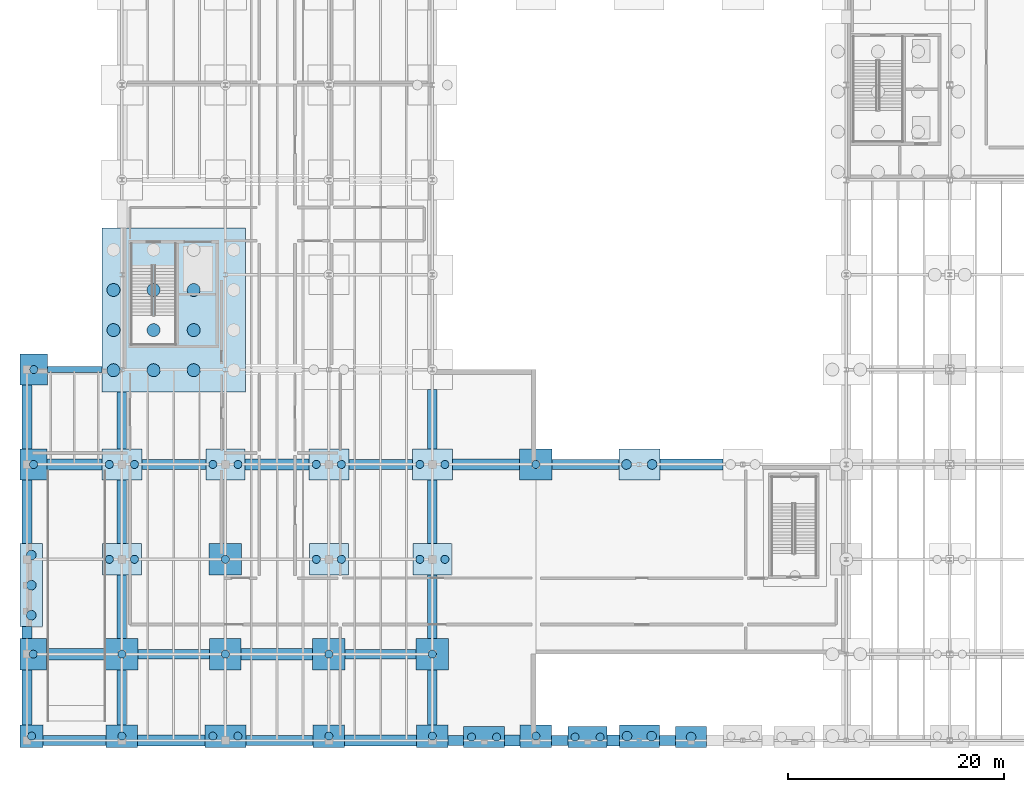
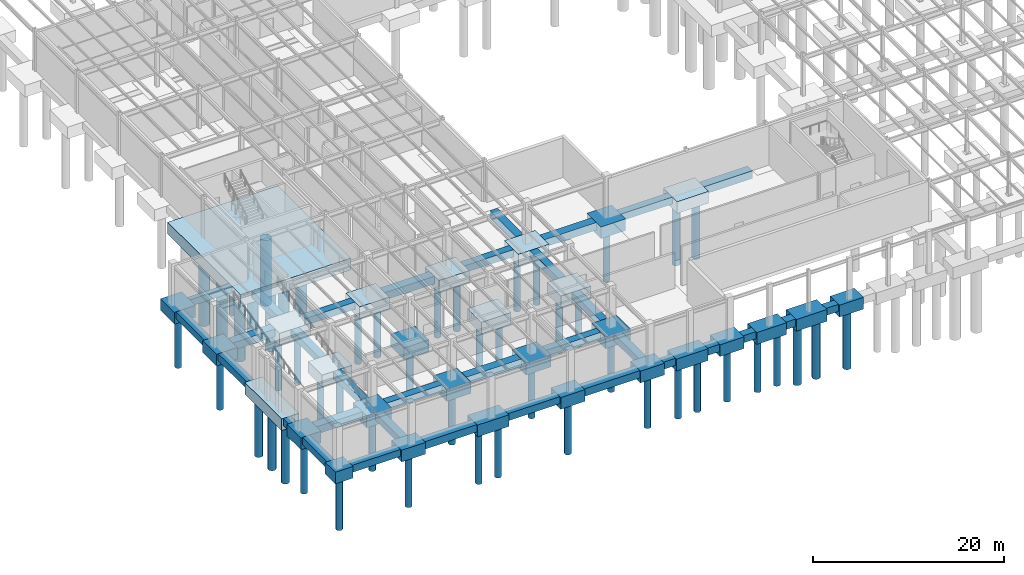
# One storey, part 1 of 48: 62 footings, 51 piles.
"""IFC4 building model written with IfcOpenShell, lengths in metres."""

from ifc_helpers import new_model, si_unit, direction, frame, origin, origin_2d, place, context, subcontext, project, spatial, rectangle, circle, extrude, material, material_profile, profile_set, type_object, element, save


model = new_model("IFC4")

# Units and contexts
model_context = context("Model", 3, precision=1e-05, world=origin(), true_north=direction((0.0, 1.0)))
body_context = subcontext(model_context, "Body", "Model", "MODEL_VIEW")
ifc_project = project(units=[si_unit("LENGTHUNIT", "METRE"), si_unit("AREAUNIT", "SQUARE_METRE"), si_unit("VOLUMEUNIT", "CUBIC_METRE"), si_unit("PLANEANGLEUNIT", "RADIAN"), si_unit("MASSUNIT", "GRAM", prefix="KILO")], contexts=[model_context])

# Site, building, storey
site_placement = place(None, origin())
site = spatial("IfcSite", under=ifc_project, at=site_placement, CompositionType="ELEMENT")
building_placement = place(site_placement, origin())
building = spatial("IfcBuilding", under=site, at=building_placement, Name="Sarnbrook Museum", CompositionType="ELEMENT")
storey_placement = place(building_placement, frame((0.0, 0.0, -5.39990234375)))
storey = spatial("IfcBuildingStorey", under=building, at=storey_placement, Name="B1", CompositionType="ELEMENT", Elevation=-5.39990234375)

# Piles
ifc_material_1 = material(Name="Concrete N50 (AS 3600, f'c = 50 MPa)", Category="concrete")
ifc_material_profile_1 = material_profile(ifc_material_1, circle(Radius=0.375, at=origin_2d()), Name="BORED PILE D750")
ifc_profile_set_1 = profile_set([ifc_material_profile_1], Name="Concrete N50 (AS 3600, f'c = 50 MPa)")
pile_type_1 = type_object("IfcPileType", Name="BoredPile_P1", PredefinedType="BORED", material=ifc_profile_set_1)
for number, where, z_axis, x_axis, name in (
    (1, (5.22509765625, 5.199951171875, -1.400146484375), (0.0, 0.0, -1.0), (1.0, 0.0, 0.0), "Bored Pile P1-0004"),
    (2, (5.375, 12.800048828125, -1.400146484375), (0.0, 0.0, -1.0), (1.0, 0.0, 0.0), "Bored Pile P1-0005"),
    (3, (5.39990234375, 30.39990234375, -1.400146484375), (0.0, 0.0, -1.0), (1.0, 0.0, 0.0), "Bored Pile P1-0006"),
    (4, (5.425048828125, 39.199951171875, -1.400146484375), (0.0, 0.0, -1.0), (1.0, 0.0, 0.0), "Bored Pile P1-0007"),
    (5, (13.60009765625, 5.199951171875, -1.400146484375), (0.0, 0.0, -1.0), (1.0, 0.0, 0.0), "Bored Pile P1-0030"),
    (6, (13.60009765625, 12.800048828125, -1.400146484375), (0.0, 0.0, -1.0), (1.0, 0.0, 0.0), "Bored Pile P1-0031"),
    (7, (12.4375, 21.60009765625, -1.400146484375), (0.0, 0.0, -1.0), (1.0, 0.0, 0.0), "Bored Pile P1-0032"),
    (8, (14.762451171875, 21.60009765625, -1.400146484375), (0.0, 0.0, -1.0), (1.0, 0.0, 0.0), "Bored Pile P1-0033"),
    (9, (12.4375, 30.39990234375, -1.400146484375), (0.0, 0.0, -1.0), (1.0, 0.0, 0.0), "Bored Pile P1-0034"),
    (10, (14.762451171875, 30.39990234375, -1.400146484375), (0.0, 0.0, -1.0), (1.0, 0.0, 0.0), "Bored Pile P1-0035"),
    (11, (22.03759765625, 5.199951171875, -1.400146484375), (0.0, 0.0, -1.0), (1.0, 0.0, 0.0), "Bored Pile P1-0043"),
    (12, (24.362548828125, 5.199951171875, -1.400146484375), (0.0, 0.0, -1.0), (1.0, 0.0, 0.0), "Bored Pile P1-0044"),
    (13, (23.199951171875, 12.800048828125, -1.400146484375), (0.0, 0.0, -1.0), (1.0, 0.0, 0.0), "Bored Pile P1-0045"),
    (14, (23.199951171875, 21.60009765625, -1.400146484375), (0.0, 0.0, -1.0), (1.0, 0.0, 0.0), "Bored Pile P1-0046"),
    (15, (22.03759765625, 30.39990234375, -1.400146484375), (0.0, 0.0, -1.0), (1.0, 0.0, 0.0), "Bored Pile P1-0047"),
    (16, (24.362548828125, 30.39990234375, -1.400146484375), (0.0, 0.0, -1.0), (1.0, 0.0, 0.0), "Bored Pile P1-0048"),
    (17, (32.800048828125, 5.199951171875, -1.400146484375), (0.0, 0.0, -1.0), (1.0, 0.0, 0.0), "Bored Pile P1-0060"),
    (18, (32.800048828125, 12.800048828125, -1.400146484375), (0.0, 0.0, -1.0), (1.0, 0.0, 0.0), "Bored Pile P1-0061"),
    (19, (31.637451171875, 21.60009765625, -1.400146484375), (0.0, 0.0, -1.0), (1.0, 0.0, 0.0), "Bored Pile P1-0062"),
    (20, (33.96240234375, 21.60009765625, -1.400146484375), (0.0, 0.0, -1.0), (1.0, 0.0, 0.0), "Bored Pile P1-0063"),
    (21, (31.637451171875, 30.39990234375, -1.400146484375), (0.0, 0.0, -1.0), (1.0, 0.0, 0.0), "Bored Pile P1-0064"),
    (22, (33.96240234375, 30.39990234375, -1.400146484375), (0.0, 0.0, -1.0), (1.0, 0.0, 0.0), "Bored Pile P1-0065"),
    (23, (42.39990234375, 5.199951171875, -1.400146484375), (0.0, 0.0, -1.0), (1.0, 0.0, 0.0), "Bored Pile P1-0082"),
    (24, (42.39990234375, 12.800048828125, -1.400146484375), (0.0, 0.0, -1.0), (1.0, 0.0, 0.0), "Bored Pile P1-0083"),
    (25, (41.237548828125, 21.60009765625, -1.400146484375), (0.0, 0.0, -1.0), (1.0, 0.0, 0.0), "Bored Pile P1-0084"),
    (26, (43.5625, 21.60009765625, -1.400146484375), (0.0, 0.0, -1.0), (1.0, 0.0, 0.0), "Bored Pile P1-0085"),
    (27, (41.237548828125, 30.39990234375, -1.400146484375), (0.0, 0.0, -1.0), (1.0, 0.0, 0.0), "Bored Pile P1-0086"),
    (28, (43.5625, 30.39990234375, -1.400146484375), (0.0, 0.0, -1.0), (1.0, 0.0, 0.0), "Bored Pile P1-0087"),
    (29, (46.03759765625, 5.110107421875, -1.400146484375), (0.0, 0.0, -1.0), (1.0, 0.0, 0.0), "Bored Pile P1-0088"),
    (30, (48.362548828125, 5.110107421875, -1.400146484375), (0.0, 0.0, -1.0), (1.0, 0.0, 0.0), "Bored Pile P1-0089"),
    (31, (52.0, 5.199951171875, -1.400146484375), (0.0, 0.0, -1.0), (1.0, 0.0, 0.0), "Bored Pile P1-0111"),
    (32, (52.0, 30.39990234375, -1.400146484375), (0.0, 0.0, -1.0), (1.0, 0.0, 0.0), "Bored Pile P1-0112"),
    (33, (55.637451171875, 5.110107421875, -1.400146484375), (0.0, 0.0, -1.0), (1.0, 0.0, 0.0), "Bored Pile P1-0113"),
    (34, (57.96240234375, 5.110107421875, -1.400146484375), (0.0, 0.0, -1.0), (1.0, 0.0, 0.0), "Bored Pile P1-0114"),
):
    element("IfcPile", number, at=place(storey_placement, frame(where, z_axis=z_axis, x_axis=x_axis)), inside=storey, type_object=pile_type_1, Name=name, PredefinedType="BORED", context=body_context, shape_type="SweptSolid", body=[
        extrude(circle(Radius=0.375, at=origin_2d()), origin(), (0.0, 0.0, 1.0), 6.800048828125),
    ])
ifc_material_profile_2 = material_profile(ifc_material_1, circle(Radius=0.449951171875, at=origin_2d()), Name="BORED PILE D900")
ifc_profile_set_2 = profile_set([ifc_material_profile_2], Name="Concrete N50 (AS 3600, f'c = 50 MPa)")
pile_type_2 = type_object("IfcPileType", Name="BoredPile_P2", PredefinedType="BORED", material=ifc_profile_set_2)
for number, where, z_axis, x_axis, name in (
    (35, (5.199951171875, 16.409912109375, -1.400146484375), (0.0, 0.0, -1.0), (1.0, 0.0, 0.0), "Bored Pile P2-0001"),
    (36, (5.199951171875, 19.199951171875, -1.400146484375), (0.0, 0.0, -1.0), (1.0, 0.0, 0.0), "Bored Pile P2-0002"),
    (37, (5.199951171875, 21.989990234375, -1.400146484375), (0.0, 0.0, -1.0), (1.0, 0.0, 0.0), "Bored Pile P2-0003"),
    (38, (60.4599609375, 5.199951171875, -1.400146484375), (0.0, 0.0, -1.0), (1.0, 0.0, 0.0), "Bored Pile P2-0123"),
    (39, (62.739990234375, 5.199951171875, -1.400146484375), (0.0, 0.0, -1.0), (1.0, 0.0, 0.0), "Bored Pile P2-0124"),
    (40, (60.409912109375, 30.39990234375, -1.400146484375), (0.0, 0.0, -1.0), (1.0, 0.0, 0.0), "Bored Pile P2-0125"),
    (41, (62.7900390625, 30.39990234375, -1.400146484375), (0.0, 0.0, -1.0), (1.0, 0.0, 0.0), "Bored Pile P2-0126"),
    (42, (66.39990234375, 5.110107421875, -1.400146484375), (0.0, 0.0, -1.0), (1.0, 0.0, 0.0), "Bored Pile P2-0127"),
):
    element("IfcPile", number, at=place(storey_placement, frame(where, z_axis=z_axis, x_axis=x_axis)), inside=storey, type_object=pile_type_2, Name=name, PredefinedType="BORED", context=body_context, shape_type="SweptSolid", body=[
        extrude(circle(Radius=0.449951171875, at=origin_2d()), origin(), (0.0, 0.0, 1.0), 7.60009765625),
    ])
ifc_material_profile_3 = material_profile(ifc_material_1, circle(Radius=0.60009765625, at=origin_2d()), Name="BORED PILE D1200")
ifc_profile_set_3 = profile_set([ifc_material_profile_3], Name="Concrete N50 (AS 3600, f'c = 50 MPa)")
pile_type_3 = type_object("IfcPileType", Name="BoredPile_P3", PredefinedType="BORED", material=ifc_profile_set_3)
for number, where, z_axis, x_axis, name in (
    (43, (12.820068359375, 39.14501953125, -1.400146484375), (0.0, 0.0, -1.0), (1.0, 0.0, 0.0), "Bored Pile P3-0008"),
    (44, (12.820068359375, 42.864990234375, -1.400146484375), (0.0, 0.0, -1.0), (1.0, 0.0, 0.0), "Bored Pile P3-0009"),
    (45, (12.820068359375, 46.5849609375, -1.400146484375), (0.0, 0.0, -1.0), (1.0, 0.0, 0.0), "Bored Pile P3-0010"),
    (46, (16.5400390625, 39.14501953125, -1.400146484375), (0.0, 0.0, -1.0), (1.0, 0.0, 0.0), "Bored Pile P3-0012"),
    (47, (16.5400390625, 42.864990234375, -1.400146484375), (0.0, 0.0, -1.0), (1.0, 0.0, 0.0), "Bored Pile P3-0013"),
    (48, (16.5400390625, 46.5849609375, -1.400146484375), (0.0, 0.0, -1.0), (1.0, 0.0, 0.0), "Bored Pile P3-0014"),
    (49, (20.260009765625, 39.14501953125, -1.400146484375), (0.0, 0.0, -1.0), (1.0, 0.0, 0.0), "Bored Pile P3-0016"),
    (50, (20.260009765625, 42.864990234375, -1.400146484375), (0.0, 0.0, -1.0), (1.0, 0.0, 0.0), "Bored Pile P3-0017"),
    (51, (20.260009765625, 46.5849609375, -1.400146484375), (0.0, 0.0, -1.0), (1.0, 0.0, 0.0), "Bored Pile P3-0018"),
):
    element("IfcPile", number, at=place(storey_placement, frame(where, z_axis=z_axis, x_axis=x_axis)), inside=storey, type_object=pile_type_3, Name=name, PredefinedType="BORED", context=body_context, shape_type="SweptSolid", body=[
        extrude(circle(Radius=0.60009765625, at=origin_2d()), origin(), (0.0, 0.0, 1.0), 8.39990234375),
    ])

# Footings
ifc_material_2 = material(Name="Concrete N40 (AS 3600, f'c = 40 MPa)", Category="concrete")
footing_type_1 = type_object("IfcFootingType", Name="GroundBeam_GB1", PredefinedType="FOOTING_BEAM", material=ifc_material_2)
footing_1_placement = place(storey_placement, frame((9.22509765625, 39.199951171875, -0.85009765625), z_axis=(0.0, 0.0, 1.0), x_axis=(1.0, 0.0, 0.0)))
element("IfcFooting", 52, at=footing_1_placement, inside=storey, type_object=footing_type_1, Name="Ground Tie Beam GB-001", PredefinedType="FOOTING_BEAM", context=body_context, shape_type="SweptSolid", body=[
    extrude(rectangle(XDim=5.050048828125, YDim=0.550048828125, at=origin_2d()), origin(), (0.0, 0.0, 1.0), 0.85009765625),
])
footing_type_2 = type_object("IfcFootingType", Name="PileCap_PC01", PredefinedType="PILE_CAP", material=ifc_material_2)
footing_2_placement = place(storey_placement, frame((5.199951171875, 19.199951171875, -1.5), z_axis=(0.0, 0.0, 1.0), x_axis=(1.0, 0.0, 0.0)))
element("IfcFooting", 53, at=footing_2_placement, inside=storey, type_object=footing_type_2, Name="Pile Cap PC-001", PredefinedType="PILE_CAP", context=body_context, shape_type="SweptSolid", body=[
    extrude(rectangle(XDim=2.10009765625, YDim=7.699951171875, at=origin_2d()), origin(), (0.0, 0.0, 1.0), 1.5),
])
footing_type_3 = type_object("IfcFootingType", Name="PileCap_PC02", PredefinedType="PILE_CAP", material=ifc_material_2)
footing_3_placement = place(storey_placement, frame((5.22509765625, 5.199951171875, -1.5), z_axis=(0.0, 0.0, 1.0), x_axis=(1.0, 0.0, 0.0)))
element("IfcFooting", 54, at=footing_3_placement, inside=storey, type_object=footing_type_3, Name="Pile Cap PC-002", PredefinedType="PILE_CAP", context=body_context, shape_type="SweptSolid", body=[
    extrude(rectangle(XDim=2.14990234375, YDim=2.10009765625, at=origin_2d()), origin(), (0.0, 0.0, 1.0), 1.5),
])
footing_type_4 = type_object("IfcFootingType", Name="PileCap_PC03", PredefinedType="PILE_CAP", material=ifc_material_2)
footing_4_placement = place(storey_placement, frame((5.375, 12.800048828125, -1.5), z_axis=(0.0, 0.0, 1.0), x_axis=(1.0, 0.0, 0.0)))
element("IfcFooting", 55, at=footing_4_placement, inside=storey, type_object=footing_type_4, Name="Pile Cap PC-003", PredefinedType="PILE_CAP", context=body_context, shape_type="SweptSolid", body=[
    extrude(rectangle(XDim=2.449951171875, YDim=2.89990234375, at=origin_2d()), origin(), (0.0, 0.0, 1.0), 1.5),
])
footing_type_5 = type_object("IfcFootingType", Name="PileCap_PC04", PredefinedType="PILE_CAP", material=ifc_material_2)
footing_5_placement = place(storey_placement, frame((5.39990234375, 30.39990234375, -1.5), z_axis=(0.0, 0.0, 1.0), x_axis=(1.0, 0.0, 0.0)))
element("IfcFooting", 56, at=footing_5_placement, inside=storey, type_object=footing_type_5, Name="Pile Cap PC-004", PredefinedType="PILE_CAP", context=body_context, shape_type="SweptSolid", body=[
    extrude(rectangle(XDim=2.5, YDim=2.89990234375, at=origin_2d()), origin(), (0.0, 0.0, 1.0), 1.5),
])
footing_type_6 = type_object("IfcFootingType", Name="PileCap_PC05", PredefinedType="PILE_CAP", material=ifc_material_2)
footing_6_placement = place(storey_placement, frame((5.425048828125, 39.199951171875, -1.5), z_axis=(0.0, 0.0, 1.0), x_axis=(1.0, 0.0, 0.0)))
element("IfcFooting", 57, at=footing_6_placement, inside=storey, type_object=footing_type_6, Name="Pile Cap PC-005", PredefinedType="PILE_CAP", context=body_context, shape_type="SweptSolid", body=[
    extrude(rectangle(XDim=2.550048828125, YDim=2.89990234375, at=origin_2d()), origin(), (0.0, 0.0, 1.0), 1.5),
])
footing_type_7 = type_object("IfcFootingType", Name="PileCap_PC06", PredefinedType="PILE_CAP", material=ifc_material_2)
footing_7_placement = place(storey_placement, frame((18.39990234375, 44.72509765625, -1.5), z_axis=(0.0, 0.0, 1.0), x_axis=(1.0, 0.0, 0.0)))
element("IfcFooting", 58, at=footing_7_placement, inside=storey, type_object=footing_type_7, Name="Pile Cap PC-006", PredefinedType="PILE_CAP", context=body_context, shape_type="SweptSolid", body=[
    extrude(rectangle(XDim=13.300048828125, YDim=15.25, at=origin_2d()), origin(), (0.0, 0.0, 1.0), 1.5),
])
footing_type_8 = type_object("IfcFootingType", Name="PileCap_PC11", PredefinedType="PILE_CAP", material=ifc_material_2)
for number, where, z_axis, x_axis, name in (
    (59, (13.60009765625, 5.199951171875, -1.5), (0.0, 0.0, 1.0), (1.0, 0.0, 0.0), "Pile Cap PC-011"),
    (60, (32.800048828125, 5.199951171875, -1.5), (0.0, 0.0, 1.0), (1.0, 0.0, 0.0), "Pile Cap PC-031"),
    (61, (42.39990234375, 5.199951171875, -1.5), (0.0, 0.0, 1.0), (1.0, 0.0, 0.0), "Pile Cap PC-046"),
    (62, (52.0, 5.199951171875, -1.5), (0.0, 0.0, 1.0), (1.0, 0.0, 0.0), "Pile Cap PC-056"),
):
    element("IfcFooting", number, at=place(storey_placement, frame(where, z_axis=z_axis, x_axis=x_axis)), inside=storey, type_object=footing_type_8, Name=name, PredefinedType="PILE_CAP", context=body_context, shape_type="SweptSolid", body=[
        extrude(rectangle(XDim=2.89990234375, YDim=2.10009765625, at=origin_2d()), origin(), (0.0, 0.0, 1.0), 1.5),
    ])
footing_type_9 = type_object("IfcFootingType", Name="PileCap_PC12", PredefinedType="PILE_CAP", material=ifc_material_2)
for number, where, z_axis, x_axis, name in (
    (63, (13.60009765625, 12.800048828125, -1.5), (0.0, 0.0, 1.0), (1.0, 0.0, 0.0), "Pile Cap PC-012"),
    (64, (23.199951171875, 21.60009765625, -1.5), (0.0, 0.0, 1.0), (1.0, 0.0, 0.0), "Pile Cap PC-022"),
    (65, (32.800048828125, 12.800048828125, -1.5), (0.0, 0.0, 1.0), (1.0, 0.0, 0.0), "Pile Cap PC-032"),
    (66, (42.39990234375, 12.800048828125, -1.5), (0.0, 0.0, 1.0), (1.0, 0.0, 0.0), "Pile Cap PC-047"),
    (67, (52.0, 30.39990234375, -1.5), (0.0, 0.0, 1.0), (1.0, 0.0, 0.0), "Pile Cap PC-057"),
):
    element("IfcFooting", number, at=place(storey_placement, frame(where, z_axis=z_axis, x_axis=x_axis)), inside=storey, type_object=footing_type_9, Name=name, PredefinedType="PILE_CAP", context=body_context, shape_type="SweptSolid", body=[
        extrude(rectangle(XDim=3.0, YDim=2.89990234375, at=origin_2d()), origin(), (0.0, 0.0, 1.0), 1.5),
    ])
footing_type_10 = type_object("IfcFootingType", Name="PileCap_PC13", PredefinedType="PILE_CAP", material=ifc_material_2)
for number, where, z_axis, x_axis, name in (
    (68, (13.60009765625, 21.60009765625, -1.5), (0.0, 0.0, 1.0), (1.0, 0.0, 0.0), "Pile Cap PC-013"),
    (69, (23.199951171875, 30.39990234375, -1.5), (0.0, 0.0, 1.0), (1.0, 0.0, 0.0), "Pile Cap PC-023"),
    (70, (32.800048828125, 21.60009765625, -1.5), (0.0, 0.0, 1.0), (1.0, 0.0, 0.0), "Pile Cap PC-033"),
    (71, (42.39990234375, 21.60009765625, -1.5), (0.0, 0.0, 1.0), (1.0, 0.0, 0.0), "Pile Cap PC-048"),
):
    element("IfcFooting", number, at=place(storey_placement, frame(where, z_axis=z_axis, x_axis=x_axis)), inside=storey, type_object=footing_type_10, Name=name, PredefinedType="PILE_CAP", context=body_context, shape_type="SweptSolid", body=[
        extrude(rectangle(XDim=3.60009765625, YDim=2.89990234375, at=origin_2d()), origin(), (0.0, 0.0, 1.0), 1.5),
    ])
footing_type_11 = type_object("IfcFootingType", Name="PileCap_PC14", PredefinedType="PILE_CAP", material=ifc_material_2)
for number, where, z_axis, x_axis, name in (
    (72, (13.60009765625, 30.39990234375, -1.5), (0.0, 0.0, 1.0), (1.0, 0.0, 0.0), "Pile Cap PC-014"),
    (73, (32.800048828125, 30.39990234375, -1.5), (0.0, 0.0, 1.0), (1.0, 0.0, 0.0), "Pile Cap PC-034"),
    (74, (42.39990234375, 30.39990234375, -1.5), (0.0, 0.0, 1.0), (1.0, 0.0, 0.0), "Pile Cap PC-049"),
):
    element("IfcFooting", number, at=place(storey_placement, frame(where, z_axis=z_axis, x_axis=x_axis)), inside=storey, type_object=footing_type_11, Name=name, PredefinedType="PILE_CAP", context=body_context, shape_type="SweptSolid", body=[
        extrude(rectangle(XDim=3.699951171875, YDim=2.89990234375, at=origin_2d()), origin(), (0.0, 0.0, 1.0), 1.5),
    ])
footing_type_12 = type_object("IfcFootingType", Name="PileCap_PC15", PredefinedType="PILE_CAP", material=ifc_material_2)
footing_8_placement = place(storey_placement, frame((61.60009765625, 30.39990234375, -1.5), z_axis=(0.0, 0.0, 1.0), x_axis=(1.0, 0.0, 0.0)))
element("IfcFooting", 75, at=footing_8_placement, inside=storey, type_object=footing_type_12, Name="Pile Cap PC-065", PredefinedType="PILE_CAP", context=body_context, shape_type="SweptSolid", body=[
    extrude(rectangle(XDim=3.800048828125, YDim=2.89990234375, at=origin_2d()), origin(), (0.0, 0.0, 1.0), 1.5),
])
footing_type_13 = type_object("IfcFootingType", Name="PileCap_PC17", PredefinedType="PILE_CAP", material=ifc_material_2)
footing_9_placement = place(storey_placement, frame((23.199951171875, 5.199951171875, -1.5), z_axis=(0.0, 0.0, 1.0), x_axis=(1.0, 0.0, 0.0)))
element("IfcFooting", 76, at=footing_9_placement, inside=storey, type_object=footing_type_13, Name="Pile Cap PC-020", PredefinedType="PILE_CAP", context=body_context, shape_type="SweptSolid", body=[
    extrude(rectangle(XDim=3.800048828125, YDim=2.10009765625, at=origin_2d()), origin(), (0.0, 0.0, 1.0), 1.5),
])
footing_type_14 = type_object("IfcFootingType", Name="PileCap_PC18", PredefinedType="PILE_CAP", material=ifc_material_2)
footing_10_placement = place(storey_placement, frame((23.199951171875, 12.800048828125, -1.5), z_axis=(0.0, 0.0, 1.0), x_axis=(1.0, 0.0, 0.0)))
element("IfcFooting", 77, at=footing_10_placement, inside=storey, type_object=footing_type_14, Name="Pile Cap PC-021", PredefinedType="PILE_CAP", context=body_context, shape_type="SweptSolid", body=[
    extrude(rectangle(XDim=2.89990234375, YDim=2.89990234375, at=origin_2d()), origin(), (0.0, 0.0, 1.0), 1.5),
])
footing_type_15 = type_object("IfcFootingType", Name="PileCap_PC20", PredefinedType="PILE_CAP", material=ifc_material_2)
footing_11_placement = place(storey_placement, frame((47.199951171875, 5.110107421875, -1.5), z_axis=(0.0, 0.0, 1.0), x_axis=(1.0, 0.0, 0.0)))
element("IfcFooting", 78, at=footing_11_placement, inside=storey, type_object=footing_type_15, Name="Pile Cap PC-050", PredefinedType="PILE_CAP", context=body_context, shape_type="SweptSolid", body=[
    extrude(rectangle(XDim=3.800048828125, YDim=1.919921875, at=origin_2d()), origin(), (0.0, 0.0, 1.0), 1.5),
])
footing_type_16 = type_object("IfcFootingType", Name="PileCap_PC22", PredefinedType="PILE_CAP", material=ifc_material_2)
footing_12_placement = place(storey_placement, frame((56.800048828125, 5.110107421875, -1.5), z_axis=(0.0, 0.0, 1.0), x_axis=(1.0, 0.0, 0.0)))
element("IfcFooting", 79, at=footing_12_placement, inside=storey, type_object=footing_type_16, Name="Pile Cap PC-058", PredefinedType="PILE_CAP", context=body_context, shape_type="SweptSolid", body=[
    extrude(rectangle(XDim=3.60009765625, YDim=1.919921875, at=origin_2d()), origin(), (0.0, 0.0, 1.0), 1.5),
])
footing_type_17 = type_object("IfcFootingType", Name="PileCap_PC25", PredefinedType="PILE_CAP", material=ifc_material_2)
footing_13_placement = place(storey_placement, frame((61.60009765625, 5.199951171875, -1.5), z_axis=(0.0, 0.0, 1.0), x_axis=(1.0, 0.0, 0.0)))
element("IfcFooting", 80, at=footing_13_placement, inside=storey, type_object=footing_type_17, Name="Pile Cap PC-064", PredefinedType="PILE_CAP", context=body_context, shape_type="SweptSolid", body=[
    extrude(rectangle(XDim=3.699951171875, YDim=2.10009765625, at=origin_2d()), origin(), (0.0, 0.0, 1.0), 1.5),
])
footing_type_18 = type_object("IfcFootingType", Name="PileCap_PC26", PredefinedType="PILE_CAP", material=ifc_material_2)
footing_14_placement = place(storey_placement, frame((66.39990234375, 5.110107421875, -1.5), z_axis=(0.0, 0.0, 1.0), x_axis=(1.0, 0.0, 0.0)))
element("IfcFooting", 81, at=footing_14_placement, inside=storey, type_object=footing_type_18, Name="Pile Cap PC-066", PredefinedType="PILE_CAP", context=body_context, shape_type="SweptSolid", body=[
    extrude(rectangle(XDim=2.89990234375, YDim=1.919921875, at=origin_2d()), origin(), (0.0, 0.0, 1.0), 1.5),
])
footing_type_19 = type_object("IfcFootingType", Name="StripFooting_SF1", PredefinedType="STRIP_FOOTING", material=ifc_material_2)
footing_15_placement = place(storey_placement, frame((9.22509765625, 4.800048828125, -0.900146484375), z_axis=(0.0, 0.0, 1.0), x_axis=(1.0, 0.0, 0.0)))
element("IfcFooting", 82, at=footing_15_placement, inside=storey, type_object=footing_type_19, Name="Strip Footing SF-001", PredefinedType="STRIP_FOOTING", context=body_context, shape_type="SweptSolid", body=[
    extrude(rectangle(XDim=5.85009765625, YDim=0.89990234375, at=origin_2d()), origin(), (0.0, 0.0, 1.0), 0.89990234375),
])
footing_16_placement = place(storey_placement, frame((28.22509765625, 4.800048828125, -0.900146484375), z_axis=(0.0, 0.0, 1.0), x_axis=(1.0, 0.0, 0.0)))
element("IfcFooting", 83, at=footing_16_placement, inside=storey, type_object=footing_type_19, Name="Strip Footing SF-003", PredefinedType="STRIP_FOOTING", context=body_context, shape_type="SweptSolid", body=[
    extrude(rectangle(XDim=6.25, YDim=0.89990234375, at=origin_2d()), origin(), (0.0, 0.0, 1.0), 0.89990234375),
])
footing_17_placement = place(storey_placement, frame((44.574951171875, 4.800048828125, -0.900146484375), z_axis=(0.0, 0.0, 1.0), x_axis=(1.0, 0.0, 0.0)))
element("IfcFooting", 84, at=footing_17_placement, inside=storey, type_object=footing_type_19, Name="Strip Footing SF-005", PredefinedType="STRIP_FOOTING", context=body_context, shape_type="SweptSolid", body=[
    extrude(rectangle(XDim=1.449951171875, YDim=0.89990234375, at=origin_2d()), origin(), (0.0, 0.0, 1.0), 0.89990234375),
])
footing_18_placement = place(storey_placement, frame((54.22509765625, 4.800048828125, -0.900146484375), z_axis=(0.0, 0.0, 1.0), x_axis=(1.0, 0.0, 0.0)))
element("IfcFooting", 85, at=footing_18_placement, inside=storey, type_object=footing_type_19, Name="Strip Footing SF-007", PredefinedType="STRIP_FOOTING", context=body_context, shape_type="SweptSolid", body=[
    extrude(rectangle(XDim=1.550048828125, YDim=0.89990234375, at=origin_2d()), origin(), (0.0, 0.0, 1.0), 0.89990234375),
])
footing_19_placement = place(storey_placement, frame((64.199951171875, 4.800048828125, -0.900146484375), z_axis=(0.0, 0.0, 1.0), x_axis=(1.0, 0.0, 0.0)))
element("IfcFooting", 86, at=footing_19_placement, inside=storey, type_object=footing_type_19, Name="Strip Footing SF-009", PredefinedType="STRIP_FOOTING", context=body_context, shape_type="SweptSolid", body=[
    extrude(rectangle(XDim=1.5, YDim=0.89990234375, at=origin_2d()), origin(), (0.0, 0.0, 1.0), 0.89990234375),
])
footing_20_placement = place(storey_placement, frame((18.425048828125, 12.800048828125, -0.900146484375), z_axis=(0.0, 0.0, 1.0), x_axis=(1.0, 0.0, 0.0)))
element("IfcFooting", 87, at=footing_20_placement, inside=storey, type_object=footing_type_19, Name="Strip Footing SF-017", PredefinedType="STRIP_FOOTING", context=body_context, shape_type="SweptSolid", body=[
    extrude(rectangle(XDim=6.64990234375, YDim=0.89990234375, at=origin_2d()), origin(), (0.0, 0.0, 1.0), 0.89990234375),
])
footing_21_placement = place(storey_placement, frame((37.60009765625, 12.800048828125, -0.900146484375), z_axis=(0.0, 0.0, 1.0), x_axis=(1.0, 0.0, 0.0)))
element("IfcFooting", 88, at=footing_21_placement, inside=storey, type_object=footing_type_19, Name="Strip Footing SF-019", PredefinedType="STRIP_FOOTING", context=body_context, shape_type="SweptSolid", body=[
    extrude(rectangle(XDim=6.60009765625, YDim=0.89990234375, at=origin_2d()), origin(), (0.0, 0.0, 1.0), 0.89990234375),
])
footing_22_placement = place(storey_placement, frame((18.425048828125, 30.39990234375, -0.900146484375), z_axis=(0.0, 0.0, 1.0), x_axis=(1.0, 0.0, 0.0)))
element("IfcFooting", 89, at=footing_22_placement, inside=storey, type_object=footing_type_19, Name="Strip Footing SF-025", PredefinedType="STRIP_FOOTING", context=body_context, shape_type="SweptSolid", body=[
    extrude(rectangle(XDim=5.949951171875, YDim=0.89990234375, at=origin_2d()), origin(), (0.0, 0.0, 1.0), 0.89990234375),
])
footing_23_placement = place(storey_placement, frame((37.60009765625, 30.39990234375, -0.900146484375), z_axis=(0.0, 0.0, 1.0), x_axis=(1.0, 0.0, 0.0)))
element("IfcFooting", 90, at=footing_23_placement, inside=storey, type_object=footing_type_19, Name="Strip Footing SF-027", PredefinedType="STRIP_FOOTING", context=body_context, shape_type="SweptSolid", body=[
    extrude(rectangle(XDim=5.89990234375, YDim=0.89990234375, at=origin_2d()), origin(), (0.0, 0.0, 1.0), 0.89990234375),
])
footing_24_placement = place(storey_placement, frame((56.60009765625, 30.39990234375, -0.900146484375), z_axis=(0.0, 0.0, 1.0), x_axis=(1.0, 0.0, 0.0)))
element("IfcFooting", 91, at=footing_24_placement, inside=storey, type_object=footing_type_19, Name="Strip Footing SF-029", PredefinedType="STRIP_FOOTING", context=body_context, shape_type="SweptSolid", body=[
    extrude(rectangle(XDim=6.199951171875, YDim=0.89990234375, at=origin_2d()), origin(), (0.0, 0.0, 1.0), 0.89990234375),
])
footing_25_placement = place(storey_placement, frame((4.800048828125, 8.800048828125, -0.900146484375), z_axis=(0.0, 0.0, 1.0), x_axis=(1.0, 0.0, 0.0)))
element("IfcFooting", 92, at=footing_25_placement, inside=storey, type_object=footing_type_19, Name="Strip Footing SF-040", PredefinedType="STRIP_FOOTING", context=body_context, shape_type="SweptSolid", body=[
    extrude(rectangle(XDim=0.89990234375, YDim=5.10009765625, at=origin_2d()), origin(), (0.0, 0.0, 1.0), 0.89990234375),
])
footing_26_placement = place(storey_placement, frame((4.800048828125, 14.800048828125, -0.900146484375), z_axis=(0.0, 0.0, 1.0), x_axis=(1.0, 0.0, 0.0)))
element("IfcFooting", 93, at=footing_26_placement, inside=storey, type_object=footing_type_19, Name="Strip Footing SF-041", PredefinedType="STRIP_FOOTING", context=body_context, shape_type="SweptSolid", body=[
    extrude(rectangle(XDim=0.89990234375, YDim=1.10009765625, at=origin_2d()), origin(), (0.0, 0.0, 1.0), 0.89990234375),
])
for number, where, z_axis, x_axis, name in (
    (94, (4.800048828125, 26.0, -0.900146484375), (0.0, 0.0, 1.0), (1.0, 0.0, 0.0), "Strip Footing SF-042"),
    (95, (4.800048828125, 34.800048828125, -0.900146484375), (0.0, 0.0, 1.0), (1.0, 0.0, 0.0), "Strip Footing SF-043"),
):
    element("IfcFooting", number, at=place(storey_placement, frame(where, z_axis=z_axis, x_axis=x_axis)), inside=storey, type_object=footing_type_19, Name=name, PredefinedType="STRIP_FOOTING", context=body_context, shape_type="SweptSolid", body=[
        extrude(rectangle(XDim=0.89990234375, YDim=5.89990234375, at=origin_2d()), origin(), (0.0, 0.0, 1.0), 0.89990234375),
    ])
footing_27_placement = place(storey_placement, frame((13.60009765625, 8.800048828125, -0.900146484375), z_axis=(0.0, 0.0, 1.0), x_axis=(1.0, 0.0, 0.0)))
element("IfcFooting", 96, at=footing_27_placement, inside=storey, type_object=footing_type_19, Name="Strip Footing SF-044", PredefinedType="STRIP_FOOTING", context=body_context, shape_type="SweptSolid", body=[
    extrude(rectangle(XDim=0.89990234375, YDim=5.10009765625, at=origin_2d()), origin(), (0.0, 0.0, 1.0), 0.89990234375),
])
for number, where, z_axis, x_axis, name in (
    (97, (13.60009765625, 17.199951171875, -0.900146484375), (0.0, 0.0, 1.0), (1.0, 0.0, 0.0), "Strip Footing SF-045"),
    (98, (13.60009765625, 26.0, -0.900146484375), (0.0, 0.0, 1.0), (1.0, 0.0, 0.0), "Strip Footing SF-046"),
):
    element("IfcFooting", number, at=place(storey_placement, frame(where, z_axis=z_axis, x_axis=x_axis)), inside=storey, type_object=footing_type_19, Name=name, PredefinedType="STRIP_FOOTING", context=body_context, shape_type="SweptSolid", body=[
        extrude(rectangle(XDim=0.89990234375, YDim=5.89990234375, at=origin_2d()), origin(), (0.0, 0.0, 1.0), 0.89990234375),
    ])
footing_28_placement = place(storey_placement, frame((13.60009765625, 34.47509765625, -0.900146484375), z_axis=(0.0, 0.0, 1.0), x_axis=(1.0, 0.0, 0.0)))
element("IfcFooting", 99, at=footing_28_placement, inside=storey, type_object=footing_type_19, Name="Strip Footing SF-047", PredefinedType="STRIP_FOOTING", context=body_context, shape_type="SweptSolid", body=[
    extrude(rectangle(XDim=0.89990234375, YDim=5.25, at=origin_2d()), origin(), (0.0, 0.0, 1.0), 0.89990234375),
])
footing_29_placement = place(storey_placement, frame((42.39990234375, 8.800048828125, -0.900146484375), z_axis=(0.0, 0.0, 1.0), x_axis=(1.0, 0.0, 0.0)))
element("IfcFooting", 100, at=footing_29_placement, inside=storey, type_object=footing_type_19, Name="Strip Footing SF-053", PredefinedType="STRIP_FOOTING", context=body_context, shape_type="SweptSolid", body=[
    extrude(rectangle(XDim=0.89990234375, YDim=5.10009765625, at=origin_2d()), origin(), (0.0, 0.0, 1.0), 0.89990234375),
])
for number, where, z_axis, x_axis, name in (
    (101, (42.39990234375, 17.199951171875, -0.900146484375), (0.0, 0.0, 1.0), (1.0, 0.0, 0.0), "Strip Footing SF-054"),
    (102, (42.39990234375, 26.0, -0.900146484375), (0.0, 0.0, 1.0), (1.0, 0.0, 0.0), "Strip Footing SF-055"),
):
    element("IfcFooting", number, at=place(storey_placement, frame(where, z_axis=z_axis, x_axis=x_axis)), inside=storey, type_object=footing_type_19, Name=name, PredefinedType="STRIP_FOOTING", context=body_context, shape_type="SweptSolid", body=[
        extrude(rectangle(XDim=0.89990234375, YDim=5.89990234375, at=origin_2d()), origin(), (0.0, 0.0, 1.0), 0.89990234375),
    ])
footing_30_placement = place(storey_placement, frame((42.39990234375, 34.60009765625, -0.900146484375), z_axis=(0.0, 0.0, 1.0), x_axis=(1.0, 0.0, 0.0)))
element("IfcFooting", 103, at=footing_30_placement, inside=storey, type_object=footing_type_19, Name="Strip Footing SF-056", PredefinedType="STRIP_FOOTING", context=body_context, shape_type="SweptSolid", body=[
    extrude(rectangle(XDim=0.89990234375, YDim=5.5, at=origin_2d()), origin(), (0.0, 0.0, 1.0), 0.89990234375),
])
footing_type_20 = type_object("IfcFootingType", Name="StripFooting_SF2", PredefinedType="STRIP_FOOTING", material=ifc_material_2)
footing_31_placement = place(storey_placement, frame((18.175048828125, 4.800048828125, -0.9501953125), z_axis=(0.0, 0.0, 1.0), x_axis=(1.0, 0.0, 0.0)))
element("IfcFooting", 104, at=footing_31_placement, inside=storey, type_object=footing_type_20, Name="Strip Footing SF-002", PredefinedType="STRIP_FOOTING", context=body_context, shape_type="SweptSolid", body=[
    extrude(rectangle(XDim=6.25, YDim=1.050048828125, at=origin_2d()), origin(), (0.0, 0.0, 1.0), 0.949951171875),
])
footing_32_placement = place(storey_placement, frame((37.60009765625, 4.800048828125, -0.9501953125), z_axis=(0.0, 0.0, 1.0), x_axis=(1.0, 0.0, 0.0)))
element("IfcFooting", 105, at=footing_32_placement, inside=storey, type_object=footing_type_20, Name="Strip Footing SF-004", PredefinedType="STRIP_FOOTING", context=body_context, shape_type="SweptSolid", body=[
    extrude(rectangle(XDim=6.699951171875, YDim=1.050048828125, at=origin_2d()), origin(), (0.0, 0.0, 1.0), 0.949951171875),
])
footing_33_placement = place(storey_placement, frame((49.824951171875, 4.800048828125, -0.9501953125), z_axis=(0.0, 0.0, 1.0), x_axis=(1.0, 0.0, 0.0)))
element("IfcFooting", 106, at=footing_33_placement, inside=storey, type_object=footing_type_20, Name="Strip Footing SF-006", PredefinedType="STRIP_FOOTING", context=body_context, shape_type="SweptSolid", body=[
    extrude(rectangle(XDim=1.449951171875, YDim=1.050048828125, at=origin_2d()), origin(), (0.0, 0.0, 1.0), 0.949951171875),
])
footing_34_placement = place(storey_placement, frame((59.175048828125, 4.800048828125, -0.9501953125), z_axis=(0.0, 0.0, 1.0), x_axis=(1.0, 0.0, 0.0)))
element("IfcFooting", 107, at=footing_34_placement, inside=storey, type_object=footing_type_20, Name="Strip Footing SF-008", PredefinedType="STRIP_FOOTING", context=body_context, shape_type="SweptSolid", body=[
    extrude(rectangle(XDim=1.14990234375, YDim=1.050048828125, at=origin_2d()), origin(), (0.0, 0.0, 1.0), 0.949951171875),
])
footing_35_placement = place(storey_placement, frame((9.35009765625, 12.800048828125, -0.9501953125), z_axis=(0.0, 0.0, 1.0), x_axis=(1.0, 0.0, 0.0)))
element("IfcFooting", 108, at=footing_35_placement, inside=storey, type_object=footing_type_20, Name="Strip Footing SF-016", PredefinedType="STRIP_FOOTING", context=body_context, shape_type="SweptSolid", body=[
    extrude(rectangle(XDim=5.5, YDim=1.050048828125, at=origin_2d()), origin(), (0.0, 0.0, 1.0), 0.949951171875),
])
footing_36_placement = place(storey_placement, frame((27.97509765625, 12.800048828125, -0.9501953125), z_axis=(0.0, 0.0, 1.0), x_axis=(1.0, 0.0, 0.0)))
element("IfcFooting", 109, at=footing_36_placement, inside=storey, type_object=footing_type_20, Name="Strip Footing SF-018", PredefinedType="STRIP_FOOTING", context=body_context, shape_type="SweptSolid", body=[
    extrude(rectangle(XDim=6.64990234375, YDim=1.050048828125, at=origin_2d()), origin(), (0.0, 0.0, 1.0), 0.949951171875),
])
footing_37_placement = place(storey_placement, frame((9.199951171875, 30.39990234375, -0.9501953125), z_axis=(0.0, 0.0, 1.0), x_axis=(1.0, 0.0, 0.0)))
element("IfcFooting", 110, at=footing_37_placement, inside=storey, type_object=footing_type_20, Name="Strip Footing SF-024", PredefinedType="STRIP_FOOTING", context=body_context, shape_type="SweptSolid", body=[
    extrude(rectangle(XDim=5.10009765625, YDim=1.050048828125, at=origin_2d()), origin(), (0.0, 0.0, 1.0), 0.949951171875),
])
footing_38_placement = place(storey_placement, frame((27.97509765625, 30.39990234375, -0.9501953125), z_axis=(0.0, 0.0, 1.0), x_axis=(1.0, 0.0, 0.0)))
element("IfcFooting", 111, at=footing_38_placement, inside=storey, type_object=footing_type_20, Name="Strip Footing SF-026", PredefinedType="STRIP_FOOTING", context=body_context, shape_type="SweptSolid", body=[
    extrude(rectangle(XDim=5.949951171875, YDim=1.050048828125, at=origin_2d()), origin(), (0.0, 0.0, 1.0), 0.949951171875),
])
footing_39_placement = place(storey_placement, frame((47.375, 30.39990234375, -0.9501953125), z_axis=(0.0, 0.0, 1.0), x_axis=(1.0, 0.0, 0.0)))
element("IfcFooting", 112, at=footing_39_placement, inside=storey, type_object=footing_type_20, Name="Strip Footing SF-028", PredefinedType="STRIP_FOOTING", context=body_context, shape_type="SweptSolid", body=[
    extrude(rectangle(XDim=6.25, YDim=1.050048828125, at=origin_2d()), origin(), (0.0, 0.0, 1.0), 0.949951171875),
])
footing_40_placement = place(storey_placement, frame((66.425048828125, 30.39990234375, -0.9501953125), z_axis=(0.0, 0.0, 1.0), x_axis=(1.0, 0.0, 0.0)))
element("IfcFooting", 113, at=footing_40_placement, inside=storey, type_object=footing_type_20, Name="Strip Footing SF-030", PredefinedType="STRIP_FOOTING", context=body_context, shape_type="SweptSolid", body=[
    extrude(rectangle(XDim=5.85009765625, YDim=1.050048828125, at=origin_2d()), origin(), (0.0, 0.0, 1.0), 0.949951171875),
])

save(model, "model.ifc")
